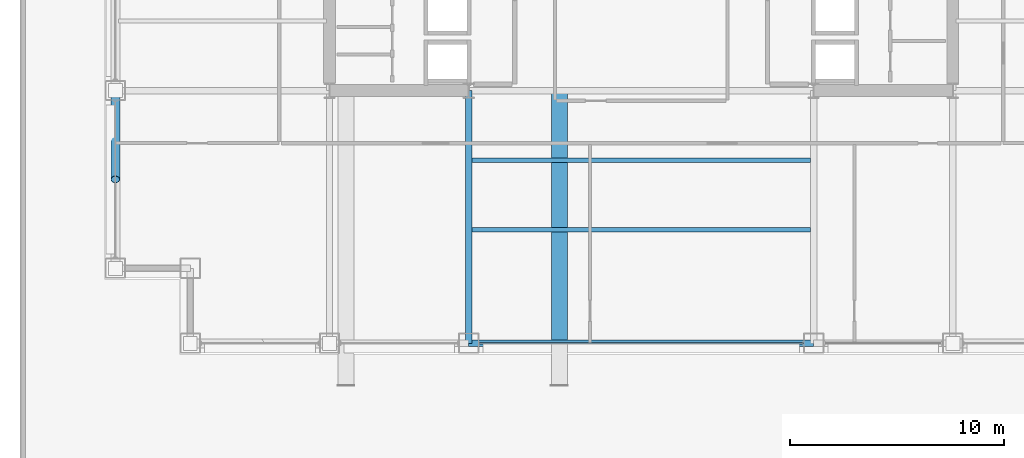
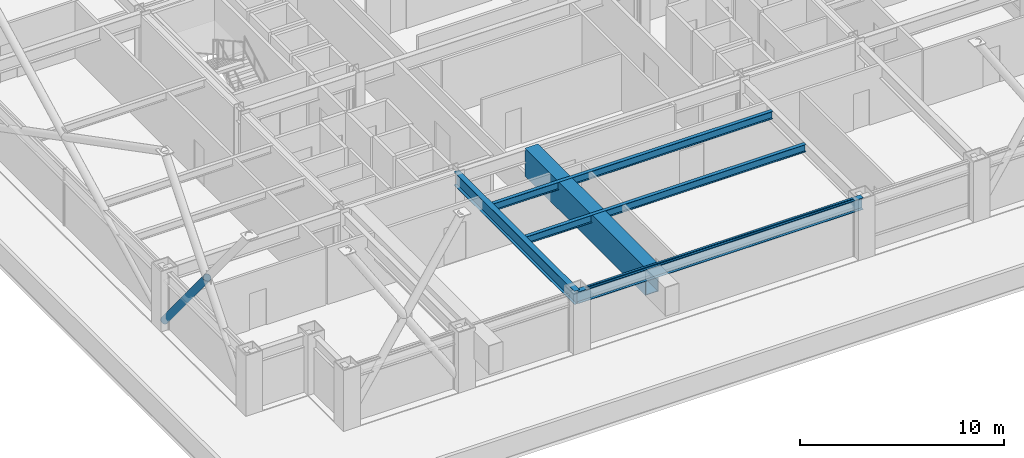
# One storey, part 5 of 33: 5 beams, 2 members, 1 element without a shape of its own.
"""IFC4 building model written with IfcOpenShell, lengths in metres."""

import ifcopenshell
import ifcopenshell.guid

model = None  # the IFC model being written
_history = None  # IfcOwnerHistory: only IFC2X3 demands one
_inside = {}  # id of a spatial element -> (the spatial element, [elements in it])
_under = {}  # id of a project, library or spatial element -> (it, [spatial elements below it])
_declared = {}  # id of a project -> (the project, [libraries it declares])
_typed = {}  # id of a type object -> (the type object, [elements of that type])
_made_of = {}  # id of a material, layer set ... -> (it, [elements and type objects made of it])


def new_model(schema):
    """Start an empty IFC model of exactly this schema.

    Asked for "IFC4X3", IfcOpenShell would pick the latest addendum, in which some entities
    have other attributes; the version numbers below select the first issue.
    IFC2X3 requires an IfcOwnerHistory on every rooted entity: one is made here for all.
    """
    global model, _history
    if schema == "IFC4X3":
        model = ifcopenshell.file(schema_version=(4, 3, 0, 0))
    else:
        model = ifcopenshell.file(schema=schema)
    _inside.clear()
    _under.clear()
    _declared.clear()
    _typed.clear()
    _made_of.clear()
    _history = None
    if model.schema == "IFC2X3":
        org = make("IfcOrganization", Name="unknown")
        user = make(
            "IfcPersonAndOrganization",
            ThePerson=make("IfcPerson", FamilyName="unknown"),
            TheOrganization=org,
        )
        app = make(
            "IfcApplication",
            ApplicationDeveloper=org,
            Version="unknown",
            ApplicationFullName="unknown",
            ApplicationIdentifier="unknown",
        )
        _history = make(
            "IfcOwnerHistory",
            OwningUser=user,
            OwningApplication=app,
            ChangeAction="ADDED",
            CreationDate=0,
        )
    return model


def make(cls, **values):
    """One entity of the class cls with the attributes given. An attribute that is None is left unset."""
    return model.create_entity(
        cls, **{name: value for name, value in values.items() if value is not None}
    )


def rooted(cls, **values):
    """An entity with a GlobalId (a new one), such as an element, a storey or a relation."""
    return make(cls, GlobalId=ifcopenshell.guid.new(), OwnerHistory=_history, **values)


def si_unit(unit_type, name, prefix=None):
    """IfcSIUnit, for example si_unit("LENGTHUNIT", "METRE", prefix="MILLI")."""
    return make("IfcSIUnit", UnitType=unit_type, Prefix=prefix, Name=name)


def assignment(units):
    """IfcUnitAssignment: the units of a project."""
    return None if units is None else make("IfcUnitAssignment", Units=units)


def point(xyz):
    """IfcCartesianPoint."""
    return None if xyz is None else make("IfcCartesianPoint", Coordinates=xyz)


def direction(xyz):
    """IfcDirection."""
    return None if xyz is None else make("IfcDirection", DirectionRatios=xyz)


def frame(location, z_axis=None, x_axis=None):
    """IfcAxis2Placement3D, a coordinate frame: its origin and axes. An axis left out is left unset."""
    return make(
        "IfcAxis2Placement3D",
        Location=point(location),
        Axis=direction(z_axis),
        RefDirection=direction(x_axis),
    )


def frame_2d(location, x_axis=None):
    """IfcAxis2Placement2D, a coordinate frame in the plane: its origin and x axis."""
    return make(
        "IfcAxis2Placement2D", Location=point(location), RefDirection=direction(x_axis)
    )


def origin():
    """The frame at (0, 0, 0) with its axes left unset."""
    return frame((0.0, 0.0, 0.0))


def origin_2d():
    """The frame at (0, 0) in the plane with its x axis left unset."""
    return frame_2d((0.0, 0.0))


def place(relative_to, where):
    """IfcLocalPlacement: puts the frame where relative to a parent placement (None: the world)."""
    return make(
        "IfcLocalPlacement", PlacementRelTo=relative_to, RelativePlacement=where
    )


def context(
    kind, dimensions, precision=None, world=None, true_north=None, identifier=None
):
    """IfcGeometricRepresentationContext, for example the 3D "Model" context."""
    return make(
        "IfcGeometricRepresentationContext",
        ContextIdentifier=identifier,
        ContextType=kind,
        CoordinateSpaceDimension=dimensions,
        Precision=precision,
        WorldCoordinateSystem=world,
        TrueNorth=true_north,
    )


def subcontext(parent, identifier, kind, view, scale=None):
    """IfcGeometricRepresentationSubContext, for example "Body" below "Model"."""
    return make(
        "IfcGeometricRepresentationSubContext",
        ContextIdentifier=identifier,
        ContextType=kind,
        ParentContext=parent,
        TargetScale=scale,
        TargetView=view,
    )


def project(units=None, contexts=None):
    """IfcProject with its units and contexts."""
    return rooted(
        "IfcProject",
        Name="project",
        RepresentationContexts=contexts,
        UnitsInContext=assignment(units),
    )


def spatial(cls, under=None, at=None, **own):
    """A site, building, storey or space (cls), placed at a placement, below another one or the project."""
    s = rooted(cls, ObjectPlacement=at, **own)
    if under is not None:
        _under.setdefault(under.id(), (under, []))[1].append(s)
    return s


def profile(cls, at=None, kind="AREA", **sizes):
    """A parametric profile (cls). Its sizes go by their IFC names, for example OverallWidth=200.0."""
    return make(cls, ProfileType=kind, Position=at, **sizes)


def hollow_rectangle(**sizes):
    """IfcRectangleHollowProfileDef."""
    return profile("IfcRectangleHollowProfileDef", **sizes)


def hollow_circle(**sizes):
    """IfcCircleHollowProfileDef."""
    return profile("IfcCircleHollowProfileDef", **sizes)


def i_section(**sizes):
    """IfcIShapeProfileDef."""
    return profile("IfcIShapeProfileDef", **sizes)


def extrude(swept, where, along, depth):
    """IfcExtrudedAreaSolid: the profile swept, set in the frame where, extruded along a direction by depth."""
    return make(
        "IfcExtrudedAreaSolid",
        SweptArea=swept,
        Position=where,
        ExtrudedDirection=direction(along),
        Depth=depth,
    )


def shape(context_of_items, identifier, shape_type, items):
    """IfcShapeRepresentation: the items that make up one representation, for example the "Body"."""
    return make(
        "IfcShapeRepresentation",
        ContextOfItems=context_of_items,
        RepresentationIdentifier=identifier,
        RepresentationType=shape_type,
        Items=items,
    )


def material(Name=None, Category=None):
    """IfcMaterial."""
    return make("IfcMaterial", Name=Name, Category=Category)


def layer(
    of_material, thickness, ventilated=None, Name=None, Category=None, Priority=None
):
    """IfcMaterialLayer: one layer of a wall or slab, of a material (None: an air gap)."""
    return make(
        "IfcMaterialLayer",
        Material=of_material,
        LayerThickness=thickness,
        IsVentilated=ventilated,
        Name=Name,
        Category=Category,
        Priority=Priority,
    )


def layer_set(layers, Name=None):
    """IfcMaterialLayerSet."""
    return make("IfcMaterialLayerSet", MaterialLayers=layers, LayerSetName=Name)


def material_profile(
    of_material, cross_section, Name=None, Category=None, Priority=None
):
    """IfcMaterialProfile: a cross section and its material."""
    return make(
        "IfcMaterialProfile",
        Name=Name,
        Material=of_material,
        Profile=cross_section,
        Priority=Priority,
        Category=Category,
    )


def profile_set(profiles, Name=None, composite=None):
    """IfcMaterialProfileSet."""
    return make(
        "IfcMaterialProfileSet",
        Name=Name,
        MaterialProfiles=profiles,
        CompositeProfile=composite,
    )


def made_of(thing, what):
    """Note that an element or type object is made of a material, layer set ...; save() writes the relation."""
    if what is not None:
        _made_of.setdefault(what.id(), (what, []))[1].append(thing)
    return thing


def type_object(cls, material=None, **own):
    """A type object (cls), such as IfcWallType, which elements share."""
    return made_of(rooted(cls, **own), material)


def element(
    cls,
    number,
    at=None,
    inside=None,
    cuts=None,
    type_object=None,
    material=None,
    context=None,
    identifier="Body",
    shape_type=None,
    held_by="IfcProductDefinitionShape",
    body=None,
    shapes=None,
    **own,
):
    """One element of the class cls, such as IfcWall. Its Tag is "e" and its number.

    at: its placement. inside: the storey or other place that contains it. cuts: it is an
    opening in that element (IfcRelVoidsElement). A single representation is given by context,
    identifier, shape_type and body (its items); several are given by shapes. held_by: the class
    of the entity that holds the representations. save() writes the other relations.
    """
    e = rooted(cls, Tag="e%d" % number, ObjectPlacement=at, **own)
    if body is not None:
        shapes = [shape(context, identifier, shape_type, body)]
    if shapes is not None:
        e.Representation = make(held_by, Representations=shapes)
    if inside is not None:
        _inside.setdefault(inside.id(), (inside, []))[1].append(e)
    if cuts is not None:
        rooted(
            "IfcRelVoidsElement", RelatingBuildingElement=cuts, RelatedOpeningElement=e
        )
    if type_object is not None:
        _typed.setdefault(type_object.id(), (type_object, []))[1].append(e)
    return made_of(e, material)


def aggregate(whole, parts):
    """IfcRelAggregates: a whole, such as a stair, and the parts it consists of."""
    return rooted("IfcRelAggregates", RelatingObject=whole, RelatedObjects=parts)


def save(model, path):
    """Write the relations noted so far, then the file.

    IfcRelAggregates (storeys below a building ...), IfcRelContainedInSpatialStructure (elements
    in a storey), IfcRelDefinesByType, IfcRelAssociatesMaterial and IfcRelDeclares: one each for
    every whole, place, type object, material and project.
    """
    for whole, parts in _under.values():
        aggregate(whole, parts)
    for where, things in _inside.values():
        rooted(
            "IfcRelContainedInSpatialStructure",
            RelatedElements=things,
            RelatingStructure=where,
        )
    for kind, things in _typed.values():
        rooted("IfcRelDefinesByType", RelatedObjects=things, RelatingType=kind)
    for what, things in _made_of.values():
        rooted("IfcRelAssociatesMaterial", RelatedObjects=things, RelatingMaterial=what)
    for by, libraries in _declared.values():
        rooted("IfcRelDeclares", RelatingContext=by, RelatedDefinitions=libraries)
    model.write(path)


model = new_model("IFC4")

# Units and contexts
model_context = context("Model", 3, precision=1e-05, world=origin(), true_north=direction((0.0, 1.0)))
body_context = subcontext(model_context, "Body", "Model", "MODEL_VIEW")
ifc_project = project(units=[si_unit("LENGTHUNIT", "METRE"), si_unit("AREAUNIT", "SQUARE_METRE"), si_unit("VOLUMEUNIT", "CUBIC_METRE"), si_unit("PLANEANGLEUNIT", "RADIAN"), si_unit("MASSUNIT", "GRAM", prefix="KILO")], contexts=[model_context])

# Site, building, storey
site_placement = place(None, origin())
site = spatial("IfcSite", under=ifc_project, at=site_placement, CompositionType="ELEMENT")
building_placement = place(site_placement, origin())
building = spatial("IfcBuilding", under=site, at=building_placement, Name="Brelmoor Portico Tower", CompositionType="ELEMENT")
storey_placement = place(building_placement, frame((0.0, 0.0, 24.0)))
storey = spatial("IfcBuildingStorey", under=building, at=storey_placement, Name="L05", CompositionType="ELEMENT", Elevation=24.0)

# Beams
ifc_material_1 = material(Name="Steel Q355B", Category="steel")
ifc_material_profile_1 = material_profile(ifc_material_1, i_section(OverallWidth=0.199951171875, OverallDepth=0.449951171875, WebThickness=0.009033203125, FlangeThickness=0.013916015625, at=origin_2d()), Name="HN 450x200x9x14")
ifc_profile_set_1 = profile_set([ifc_material_profile_1], Name="Steel Q355B")
beam_type_1 = type_object("IfcBeamType", Name="BM-JS-450", PredefinedType="JOIST", material=ifc_profile_set_1)
for number, where, z_axis, x_axis, name in (
    (1, (-7.89990234375, -16.25, 3.175048828125), (1.0, 0.0, 0.0), (0.0, 1.0, 0.0), "L05 Secondary Composite Joist JS-C01"),
    (2, (-7.89990234375, -13.0, 3.175048828125), (1.0, 0.0, 0.0), (0.0, 1.0, 0.0), "L05 Secondary Composite Joist JS-C02"),
):
    element("IfcBeam", number, at=place(storey_placement, frame(where, z_axis=z_axis, x_axis=x_axis)), inside=storey, type_object=beam_type_1, Name=name, PredefinedType="JOIST", context=body_context, shape_type="SweptSolid", body=[
        extrude(i_section(OverallWidth=0.199951171875, OverallDepth=0.449951171875, WebThickness=0.009033203125, FlangeThickness=0.013916015625, at=origin_2d()), origin(), (0.0, 0.0, 1.0), 15.7998046875),
    ])
ifc_material_profile_2 = material_profile(ifc_material_1, i_section(OverallWidth=0.300048828125, OverallDepth=0.800048828125, WebThickness=0.013916015625, FlangeThickness=0.02587890625, at=origin_2d()), Name="HN 800x300x14x26")
ifc_profile_set_2 = profile_set([ifc_material_profile_2], Name="Steel Q355B")
beam_type_2 = type_object("IfcBeamType", Name="BM-PG-800", PredefinedType="BEAM", material=ifc_profile_set_2)
beam_1_placement = place(storey_placement, frame((-8.050048828125, -21.550048828125, 3.0), z_axis=(0.0, 1.0, 0.0), x_axis=(-1.0, 0.0, 0.0)))
element("IfcBeam", 3, at=beam_1_placement, inside=storey, type_object=beam_type_2, Name="L05 Primary Floor Girder PG-07", PredefinedType="BEAM", context=body_context, shape_type="SweptSolid", body=[
    extrude(i_section(OverallWidth=0.300048828125, OverallDepth=0.800048828125, WebThickness=0.013916015625, FlangeThickness=0.02587890625, at=origin_2d()), origin(), (0.0, 0.0, 1.0), 11.800048828125),
])
ifc_material_profile_3 = material_profile(ifc_material_1, i_section(OverallWidth=0.300048828125, OverallDepth=0.699951171875, WebThickness=0.012939453125, FlangeThickness=0.02392578125, at=origin_2d()), Name="HN 700x300x13x24")
ifc_profile_set_3 = profile_set([ifc_material_profile_3], Name="Steel Q355B")
beam_type_3 = type_object("IfcBeamType", Name="BM-SP-700", PredefinedType="SPANDREL", material=ifc_profile_set_3)
beam_2_placement = place(storey_placement, frame((-8.050048828125, -21.550048828125, 3.050048828125), z_axis=(1.0, 0.0, 0.0), x_axis=(0.0, 1.0, 0.0)))
element("IfcBeam", 4, at=beam_2_placement, inside=storey, type_object=beam_type_3, Name="L05 Perimeter Spandrel Beam SP-03", PredefinedType="SPANDREL", context=body_context, shape_type="SweptSolid", body=[
    extrude(i_section(OverallWidth=0.300048828125, OverallDepth=0.699951171875, WebThickness=0.012939453125, FlangeThickness=0.02392578125, at=origin_2d()), origin(), (0.0, 0.0, 1.0), 16.10009765625),
])
ifc_material_profile_4 = material_profile(ifc_material_1, hollow_rectangle(XDim=0.75, YDim=1.659912109375, WallThickness=0.0419921875, at=origin_2d()), Name="BOX 750x1660x42")
ifc_profile_set_4 = profile_set([ifc_material_profile_4], Name="Steel Q355B")
beam_type_4 = type_object("IfcBeamType", Name="BM-TG-Z2", PredefinedType="BEAM", material=ifc_profile_set_4)
beam_3_placement = place(storey_placement, frame((-3.820068359375, -21.550048828125, 2.570068359375), z_axis=(0.0, 1.0, 0.0), x_axis=(-1.0, 0.0, 0.0)))
element("IfcBeam", 5, at=beam_3_placement, inside=storey, type_object=beam_type_4, Name="L05 Picture-Frame Backspan Transfer Girder PFBS-02", PredefinedType="BEAM", context=body_context, shape_type="SweptSolid", body=[
    extrude(hollow_rectangle(XDim=0.75, YDim=1.659912109375, WallThickness=0.0419921875, at=origin_2d()), origin(), (0.0, 0.0, 1.0), 11.800048828125),
])

# Member
ifc_material_profile_5 = material_profile(ifc_material_1, hollow_circle(Radius=0.212890625, WallThickness=0.02001953125, at=origin_2d()), Name="CHS 426x20")
ifc_profile_set_5 = profile_set([ifc_material_profile_5], Name="Steel Q355B")
member_type_1 = type_object("IfcMemberType", Name="MB-BELT-DIAG1", PredefinedType="BRACE", material=ifc_profile_set_5)
member_1_placement = place(storey_placement, frame((-24.550048828125, -9.75, 0.25), z_axis=(0.0, -0.634889952641, 0.772602580914), x_axis=(1.0, 0.0, 0.0)))
element("IfcMember", 6, at=member_1_placement, inside=storey, type_object=member_type_1, Name="L05 Split Mega-X Brace 005B1", PredefinedType="BRACE", context=body_context, shape_type="SweptSolid", body=[
    extrude(hollow_circle(Radius=0.212890625, WallThickness=0.02001953125, at=origin_2d()), origin(), (0.0, 0.0, 1.0), 6.536376953125),
])

# Curtain wall, member
ifc_material_2 = material(Name="Anodised Aluminium Alloy 6063-T6", Category="aluminium")
ifc_layer = layer(ifc_material_2, 0.179931640625)
ifc_layer_set = layer_set([ifc_layer], Name="Anodised Aluminium Alloy 6063-T6")
curtain_wall_type = type_object("IfcCurtainWallType", Name="CW-TOWER-Z1-XB", PredefinedType="NOTDEFINED", material=ifc_layer_set)
curtain_wall_placement = place(storey_placement, origin())
curtain_wall = element("IfcCurtainWall", 7, at=curtain_wall_placement, inside=storey, type_object=curtain_wall_type, Name="L05 Curtain Wall CW-L05-01-3", PredefinedType="NOTDEFINED")
ifc_material_profile_6 = material_profile(ifc_material_2, hollow_rectangle(XDim=0.06494140625, YDim=0.139892578125, WallThickness=0.00390625, at=origin_2d()), Name="ALU TRANSOM 65x140")
ifc_profile_set_6 = profile_set([ifc_material_profile_6], Name="Anodised Aluminium Alloy 6063-T6")
member_type_2 = type_object("IfcMemberType", Name="MB-CW-TRAN-140", PredefinedType="USERDEFINED", material=ifc_profile_set_6)
member_2_placement = place(storey_placement, frame((-7.56494140625, -21.550048828125, 3.330078125), z_axis=(1.0, 0.0, 0.0), x_axis=(0.0, 1.0, 0.0)))
member_2 = element("IfcMember", 8, at=member_2_placement, type_object=member_type_2, Name="CW-L05-01-3 Transom 1-00", ObjectType="TRANSOM", PredefinedType="USERDEFINED", context=body_context, shape_type="SweptSolid", body=[
    extrude(hollow_rectangle(XDim=0.06494140625, YDim=0.139892578125, WallThickness=0.00390625, at=origin_2d()), origin(), (0.0, 0.0, 1.0), 15.1298828125),
])
aggregate(curtain_wall, [member_2])

save(model, "model.ifc")
